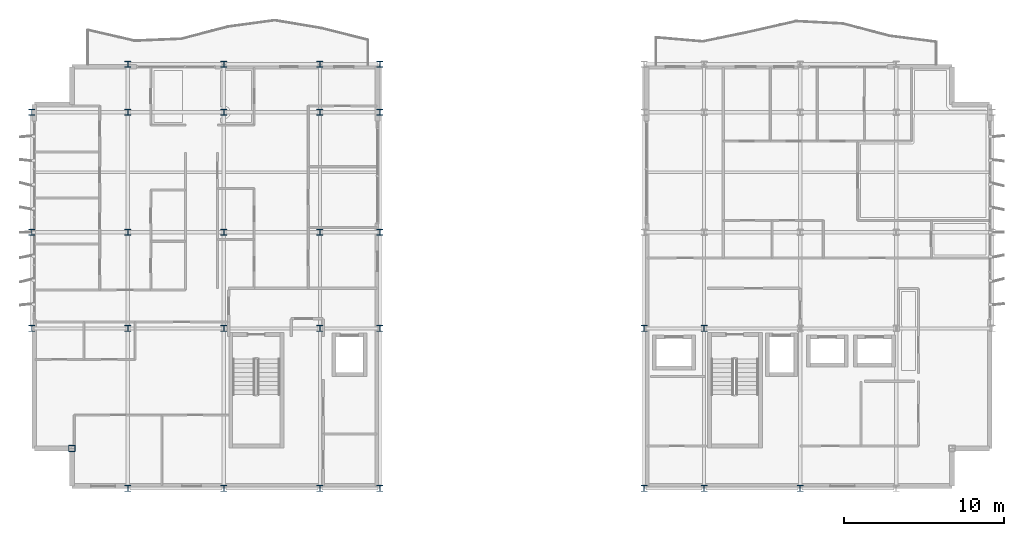
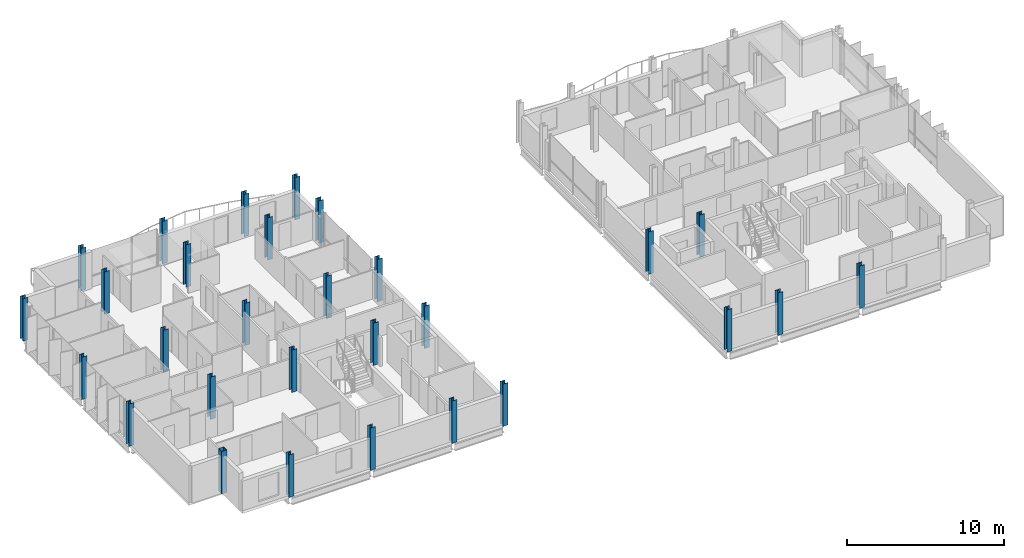
# One storey, part 1 of 30: 29 columns.
"""IFC4 building model written with IfcOpenShell, lengths in metres."""

from ifc_helpers import new_model, si_unit, direction, frame, origin, origin_2d, place, context, subcontext, project, spatial, hollow_rectangle, i_section, extrude, material, material_profile, profile_set, type_object, element, save


model = new_model("IFC4")

# Units and contexts
model_context = context("Model", 3, precision=1e-05, world=origin(), true_north=direction((0.0, 1.0)))
body_context = subcontext(model_context, "Body", "Model", "MODEL_VIEW")
ifc_project = project(units=[si_unit("LENGTHUNIT", "METRE"), si_unit("AREAUNIT", "SQUARE_METRE"), si_unit("VOLUMEUNIT", "CUBIC_METRE"), si_unit("PLANEANGLEUNIT", "RADIAN"), si_unit("MASSUNIT", "GRAM", prefix="KILO")], contexts=[model_context])

# Site, building, storey
site_placement = place(None, origin())
site = spatial("IfcSite", under=ifc_project, at=site_placement, CompositionType="ELEMENT")
building_placement = place(site_placement, origin())
building = spatial("IfcBuilding", under=site, at=building_placement, Name="Brevholm Reach", CompositionType="ELEMENT")
storey_placement = place(building_placement, frame((0.0, 0.0, 211.10009765625)))
storey = spatial("IfcBuildingStorey", under=building, at=storey_placement, Name="L64", CompositionType="ELEMENT", Elevation=211.10009765625)

# Columns
ifc_material_1 = material(Name="Structural Steel S460NH", Category="steel")
ifc_material_profile_1 = material_profile(ifc_material_1, hollow_rectangle(XDim=0.39990234375, YDim=0.39990234375, WallThickness=0.02001953125, InnerFilletRadius=0.011962890625, OuterFilletRadius=0.02392578125, at=origin_2d()), Name="SHS 400x400x20")
ifc_profile_set_1 = profile_set([ifc_material_profile_1], Name="Structural Steel S460NH")
column_type_1 = type_object("IfcColumnType", Name="COL-SHS2", PredefinedType="COLUMN", material=ifc_profile_set_1)
column_placement = place(storey_placement, frame((2.5, 2.5, 0.0), z_axis=(0.0, 0.0, 1.0), x_axis=(1.0, 0.0, 0.0)))
element("IfcColumn", 1, at=column_placement, inside=storey, type_object=column_type_1, Name="L64 Column 04", PredefinedType="COLUMN", context=body_context, shape_type="SweptSolid", body=[
    extrude(hollow_rectangle(XDim=0.39990234375, YDim=0.39990234375, WallThickness=0.02001953125, InnerFilletRadius=0.011962890625, OuterFilletRadius=0.02392578125, at=origin_2d()), origin(), (0.0, 0.0, 1.0), 3.2998046875),
])
ifc_material_2 = material(Name="Structural Steel S355J2", Category="steel")
ifc_material_profile_2 = material_profile(ifc_material_2, i_section(OverallWidth=0.374755859375, OverallDepth=0.37451171875, WebThickness=0.0166015625, FlangeThickness=0.027099609375, FilletRadius=0.01513671875, at=origin_2d()), Name="UKC 356x368x202")
ifc_profile_set_2 = profile_set([ifc_material_profile_2], Name="Structural Steel S355J2")
column_type_2 = type_object("IfcColumnType", Name="COL-UC6", PredefinedType="COLUMN", material=ifc_profile_set_2)
for number, where, z_axis, x_axis, name in (
    (2, (0.0, 10.0, 0.0), (0.0, 0.0, 1.0), (1.0, 0.0, 0.0), "L64 Column 01"),
    (3, (0.0, 16.0, 0.0), (0.0, 0.0, 1.0), (1.0, 0.0, 0.0), "L64 Column 02"),
    (4, (0.0, 23.5, 0.0), (0.0, 0.0, 1.0), (1.0, 0.0, 0.0), "L64 Column 03"),
    (5, (6.0, 0.0, 0.0), (0.0, 0.0, 1.0), (1.0, 0.0, 0.0), "L64 Column 05"),
    (6, (6.0, 10.0, 0.0), (0.0, 0.0, 1.0), (1.0, 0.0, 0.0), "L64 Column 06"),
    (7, (6.0, 16.0, 0.0), (0.0, 0.0, 1.0), (1.0, 0.0, 0.0), "L64 Column 07"),
    (8, (6.0, 23.5, 0.0), (0.0, 0.0, 1.0), (1.0, 0.0, 0.0), "L64 Column 08"),
    (9, (6.0, 26.5, 0.0), (0.0, 0.0, 1.0), (1.0, 0.0, 0.0), "L64 Column 09"),
    (10, (12.0, 0.0, 0.0), (0.0, 0.0, 1.0), (1.0, 0.0, 0.0), "L64 Column 10"),
    (11, (12.0, 10.0, 0.0), (0.0, 0.0, 1.0), (1.0, 0.0, 0.0), "L64 Column 11"),
    (12, (12.0, 16.0, 0.0), (0.0, 0.0, 1.0), (1.0, 0.0, 0.0), "L64 Column 12"),
    (13, (12.0, 23.5, 0.0), (0.0, 0.0, 1.0), (1.0, 0.0, 0.0), "L64 Column 13"),
    (14, (12.0, 26.5, 0.0), (0.0, 0.0, 1.0), (1.0, 0.0, 0.0), "L64 Column 14"),
    (15, (18.0, 0.0, 0.0), (0.0, 0.0, 1.0), (1.0, 0.0, 0.0), "L64 Column 15"),
    (16, (18.0, 10.0, 0.0), (0.0, 0.0, 1.0), (1.0, 0.0, 0.0), "L64 Column 16"),
    (17, (18.0, 16.0, 0.0), (0.0, 0.0, 1.0), (1.0, 0.0, 0.0), "L64 Column 17"),
    (18, (18.0, 23.5, 0.0), (0.0, 0.0, 1.0), (1.0, 0.0, 0.0), "L64 Column 18"),
    (19, (18.0, 26.5, 0.0), (0.0, 0.0, 1.0), (1.0, 0.0, 0.0), "L64 Column 19"),
    (20, (21.75, 0.0, 0.0), (0.0, 0.0, 1.0), (1.0, 0.0, 0.0), "L64 Column 20"),
    (21, (21.75, 10.0, 0.0), (0.0, 0.0, 1.0), (1.0, 0.0, 0.0), "L64 Column 21"),
    (22, (21.75, 16.0, 0.0), (0.0, 0.0, 1.0), (1.0, 0.0, 0.0), "L64 Column 22"),
    (23, (21.75, 23.5, 0.0), (0.0, 0.0, 1.0), (1.0, 0.0, 0.0), "L64 Column 23"),
    (24, (21.75, 26.5, 0.0), (0.0, 0.0, 1.0), (1.0, 0.0, 0.0), "L64 Column 24"),
    (25, (38.25, 0.0, 0.0), (0.0, 0.0, 1.0), (1.0, 0.0, 0.0), "L64 Column 25"),
    (26, (38.25, 10.0, 0.0), (0.0, 0.0, 1.0), (1.0, 0.0, 0.0), "L64 Column 26"),
    (27, (42.0, 0.0, 0.0), (0.0, 0.0, 1.0), (1.0, 0.0, 0.0), "L64 Column 30"),
    (28, (42.0, 10.0, 0.0), (0.0, 0.0, 1.0), (1.0, 0.0, 0.0), "L64 Column 31"),
    (29, (48.0, 0.0, 0.0), (0.0, 0.0, 1.0), (1.0, 0.0, 0.0), "L64 Column 35"),
):
    element("IfcColumn", number, at=place(storey_placement, frame(where, z_axis=z_axis, x_axis=x_axis)), inside=storey, type_object=column_type_2, Name=name, PredefinedType="COLUMN", context=body_context, shape_type="SweptSolid", body=[
        extrude(i_section(OverallWidth=0.374755859375, OverallDepth=0.37451171875, WebThickness=0.0166015625, FlangeThickness=0.027099609375, FilletRadius=0.01513671875, at=origin_2d()), origin(), (0.0, 0.0, 1.0), 3.2998046875),
    ])

save(model, "model.ifc")
